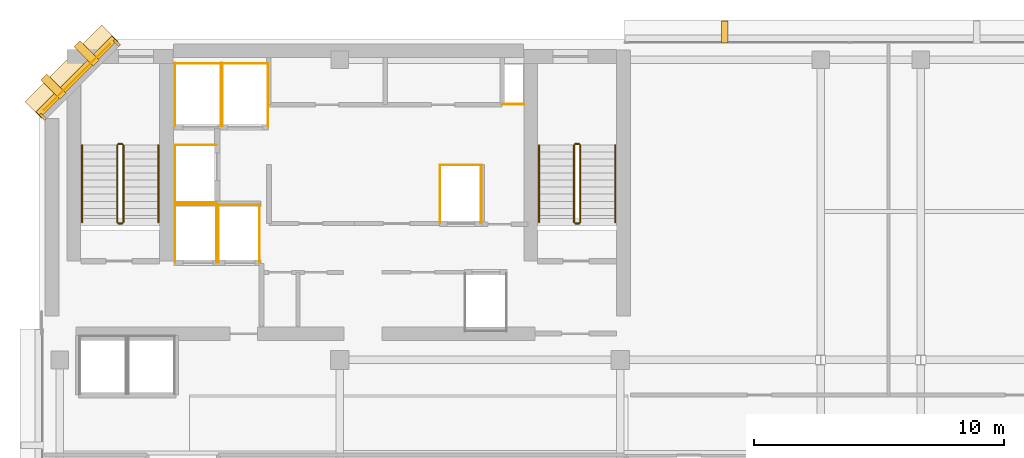
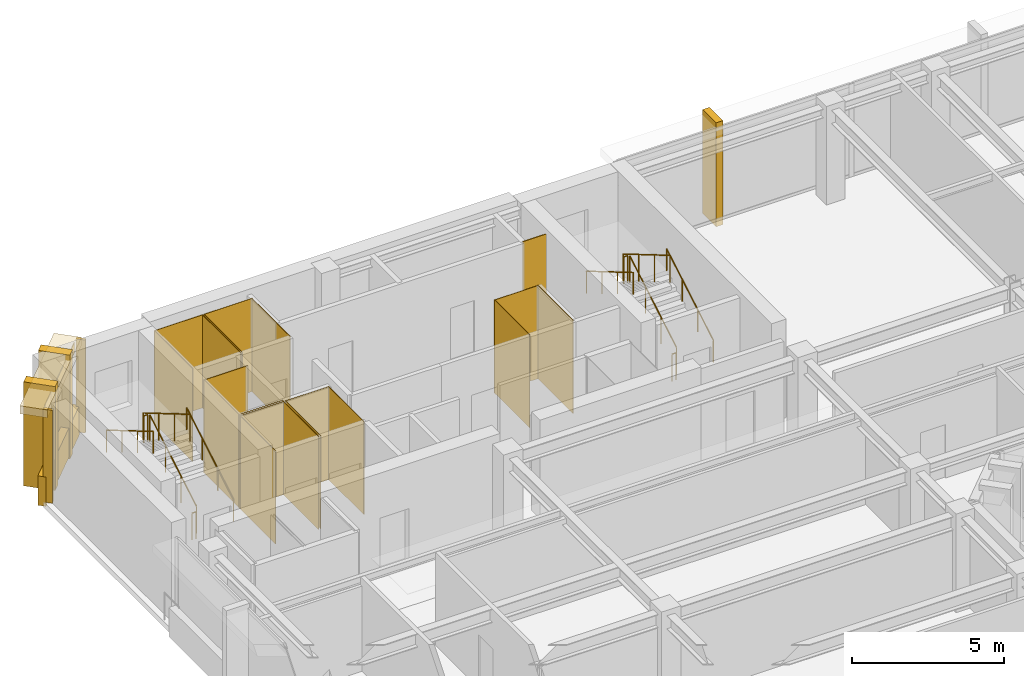
# One storey, part 10 of 11: 27 coverings, 12 railings.
"""IFC4 building model written with IfcOpenShell, lengths in metres."""

from ifc_helpers import new_model, si_unit, direction, frame, origin, origin_2d, place, context, subcontext, project, spatial, polyline, rectangle, circle, outline, extrude, material, layer, layer_set, type_object, element, save


model = new_model("IFC4")

# Units and contexts
model_context = context("Model", 3, precision=1e-05, world=origin(), true_north=direction((0.0, 1.0)))
body_context = subcontext(model_context, "Body", "Model", "MODEL_VIEW")
ifc_project = project(units=[si_unit("LENGTHUNIT", "METRE"), si_unit("AREAUNIT", "SQUARE_METRE"), si_unit("VOLUMEUNIT", "CUBIC_METRE"), si_unit("PLANEANGLEUNIT", "RADIAN"), si_unit("MASSUNIT", "GRAM", prefix="KILO")], contexts=[model_context])

# Site, building, storey
site_placement = place(None, origin())
site = spatial("IfcSite", under=ifc_project, at=site_placement, CompositionType="ELEMENT")
building_placement = place(site_placement, origin())
building = spatial("IfcBuilding", under=site, at=building_placement, Name="Kefirva Bronze Tower", CompositionType="ELEMENT")
storey_placement = place(building_placement, frame((0.0, 0.0, 284.1298828125)))
storey = spatial("IfcBuildingStorey", under=building, at=storey_placement, Name="L69", CompositionType="ELEMENT", Elevation=284.1298828125)

# Coverings
ifc_material_1 = material(Name="Bronze anodised aluminium", Category="aluminium")
ifc_layer_1 = layer(ifc_material_1, 0.02001953125, Name="Bronze anodised aluminium")
ifc_layer_set_1 = layer_set([ifc_layer_1], Name="Bronze anodised aluminium")
covering_type_1 = type_object("IfcCoveringType", Name="Anodised Bronze Spandrel Cladding 20mm", PredefinedType="CLADDING", material=ifc_layer_set_1)
covering_1_placement = place(storey_placement, frame((1.492919921875, 44.507080078125, 3.320068359375), z_axis=(0.0, 0.0, 1.0), x_axis=(-0.707106781187, -0.707106781187, 0.0)))
element("IfcCovering", 1, at=covering_1_placement, inside=storey, type_object=covering_type_1, Name="L69 Bronze Spandrel Cladding 6", PredefinedType="CLADDING", context=body_context, shape_type="SweptSolid", body=[
    extrude(rectangle(XDim=3.719482421875, YDim=0.02001953125, at=origin_2d()), origin(), (0.0, 0.0, 1.0), 0.39990234375),
])
for number, where, z_axis, x_axis, name in (
    (2, (3.08837890625, 45.862060546875, 0.0), (0.0, 0.0, 1.0), (-0.707106781187, -0.707106781187, 0.0), "L69 Facade Joint Closure Panel 6S"),
    (3, (0.137939453125, 42.91162109375, 0.0), (0.0, 0.0, 1.0), (-0.707106781187, -0.707106781187, 0.0), "L69 Facade Joint Closure Panel 6E"),
):
    element("IfcCovering", number, at=place(storey_placement, frame(where, z_axis=z_axis, x_axis=x_axis)), inside=storey, type_object=covering_type_1, Name=name, PredefinedType="CLADDING", context=body_context, shape_type="SweptSolid", body=[
        extrude(rectangle(XDim=0.10009765625, YDim=0.320068359375, at=origin_2d()), origin(), (0.0, 0.0, 1.0), 3.739990234375),
    ])
covering_2_placement = place(storey_placement, frame((1.4716796875, 44.5283203125, -0.15966796875), z_axis=(0.0, 0.0, 1.0), x_axis=(-0.707106781187, -0.707106781187, 0.0)))
element("IfcCovering", 4, at=covering_2_placement, inside=storey, type_object=covering_type_1, Name="L69 Streamline Horizontal Spandrel Band 9", PredefinedType="CLADDING", context=body_context, shape_type="SweptSolid", body=[
    extrude(rectangle(XDim=4.28271484375, YDim=0.280029296875, at=origin_2d()), origin(), (0.0, 0.0, 1.0), 1.179931640625),
])
covering_3_placement = place(storey_placement, origin())
element("IfcCovering", 5, at=covering_3_placement, inside=storey, type_object=covering_type_1, Name="L69 Lift FF1 Hoistway Liner N", PredefinedType="CLADDING", context=body_context, shape_type="SweptSolid", body=[
    extrude(outline(polyline([(5.39990234375, 39.389892578125), (7.080078125, 39.389892578125), (7.080078125, 39.409912109375), (5.39990234375, 39.409912109375), (5.39990234375, 39.389892578125)])), origin(), (0.0, 0.0, 1.0), 3.740234375),
])
covering_4_placement = place(storey_placement, origin())
element("IfcCovering", 6, at=covering_4_placement, inside=storey, type_object=covering_type_1, Name="L69 Lift FF1 Hoistway Liner W", PredefinedType="CLADDING", context=body_context, shape_type="SweptSolid", body=[
    extrude(outline(polyline([(5.409912109375, 37.080078125), (5.429931640625, 37.080078125), (5.429931640625, 39.419921875), (5.409912109375, 39.419921875), (5.409912109375, 37.080078125)])), origin(), (0.0, 0.0, 1.0), 3.740234375),
])
covering_5_placement = place(storey_placement, origin())
element("IfcCovering", 7, at=covering_5_placement, inside=storey, type_object=covering_type_1, Name="L69 Lift FF1 Hoistway Liner E", PredefinedType="CLADDING", context=body_context, shape_type="SweptSolid", body=[
    extrude(outline(polyline([(7.050048828125, 37.080078125), (7.070068359375, 37.080078125), (7.070068359375, 39.419921875), (7.050048828125, 39.419921875), (7.050048828125, 37.080078125)])), origin(), (0.0, 0.0, 1.0), 3.740234375),
])
covering_6_placement = place(storey_placement, origin())
element("IfcCovering", 8, at=covering_6_placement, inside=storey, type_object=covering_type_1, Name="L69 Lift FF2 Hoistway Liner N", PredefinedType="CLADDING", context=body_context, shape_type="SweptSolid", body=[
    extrude(outline(polyline([(7.1201171875, 39.389892578125), (8.800048828125, 39.389892578125), (8.800048828125, 39.409912109375), (7.1201171875, 39.409912109375), (7.1201171875, 39.389892578125)])), origin(), (0.0, 0.0, 1.0), 3.740234375),
])
covering_7_placement = place(storey_placement, origin())
element("IfcCovering", 9, at=covering_7_placement, inside=storey, type_object=covering_type_1, Name="L69 Lift FF2 Hoistway Liner W", PredefinedType="CLADDING", context=body_context, shape_type="SweptSolid", body=[
    extrude(outline(polyline([(7.1298828125, 37.080078125), (7.14990234375, 37.080078125), (7.14990234375, 39.419921875), (7.1298828125, 39.419921875), (7.1298828125, 37.080078125)])), origin(), (0.0, 0.0, 1.0), 3.740234375),
])
covering_8_placement = place(storey_placement, origin())
element("IfcCovering", 10, at=covering_8_placement, inside=storey, type_object=covering_type_1, Name="L69 Lift FF2 Hoistway Liner E", PredefinedType="CLADDING", context=body_context, shape_type="SweptSolid", body=[
    extrude(outline(polyline([(8.77001953125, 37.080078125), (8.7900390625, 37.080078125), (8.7900390625, 39.419921875), (8.77001953125, 39.419921875), (8.77001953125, 37.080078125)])), origin(), (0.0, 0.0, 1.0), 3.740234375),
])
covering_9_placement = place(storey_placement, origin())
element("IfcCovering", 11, at=covering_9_placement, inside=storey, type_object=covering_type_1, Name="L69 Lift SV1 Hoistway Liner N", PredefinedType="CLADDING", context=body_context, shape_type="SweptSolid", body=[
    extrude(outline(polyline([(5.39990234375, 45.0400390625), (7.260009765625, 45.0400390625), (7.260009765625, 45.06005859375), (5.39990234375, 45.06005859375), (5.39990234375, 45.0400390625)])), origin(), (0.0, 0.0, 1.0), 3.740234375),
])
covering_10_placement = place(storey_placement, origin())
element("IfcCovering", 12, at=covering_10_placement, inside=storey, type_object=covering_type_1, Name="L69 Lift SV1 Hoistway Liner W", PredefinedType="CLADDING", context=body_context, shape_type="SweptSolid", body=[
    extrude(outline(polyline([(5.409912109375, 42.530029296875), (5.429931640625, 42.530029296875), (5.429931640625, 45.070068359375), (5.409912109375, 45.070068359375), (5.409912109375, 42.530029296875)])), origin(), (0.0, 0.0, 1.0), 3.740234375),
])
covering_11_placement = place(storey_placement, origin())
element("IfcCovering", 13, at=covering_11_placement, inside=storey, type_object=covering_type_1, Name="L69 Lift SV1 Hoistway Liner E", PredefinedType="CLADDING", context=body_context, shape_type="SweptSolid", body=[
    extrude(outline(polyline([(7.22998046875, 42.530029296875), (7.25, 42.530029296875), (7.25, 45.070068359375), (7.22998046875, 45.070068359375), (7.22998046875, 42.530029296875)])), origin(), (0.0, 0.0, 1.0), 3.740234375),
])
covering_12_placement = place(storey_placement, origin())
element("IfcCovering", 14, at=covering_12_placement, inside=storey, type_object=covering_type_1, Name="L69 Lift SV2 Hoistway Liner N", PredefinedType="CLADDING", context=body_context, shape_type="SweptSolid", body=[
    extrude(outline(polyline([(7.280029296875, 45.0400390625), (9.139892578125, 45.0400390625), (9.139892578125, 45.06005859375), (7.280029296875, 45.06005859375), (7.280029296875, 45.0400390625)])), origin(), (0.0, 0.0, 1.0), 3.740234375),
])
covering_13_placement = place(storey_placement, origin())
element("IfcCovering", 15, at=covering_13_placement, inside=storey, type_object=covering_type_1, Name="L69 Lift SV2 Hoistway Liner W", PredefinedType="CLADDING", context=body_context, shape_type="SweptSolid", body=[
    extrude(outline(polyline([(7.2900390625, 42.530029296875), (7.31005859375, 42.530029296875), (7.31005859375, 45.070068359375), (7.2900390625, 45.070068359375), (7.2900390625, 42.530029296875)])), origin(), (0.0, 0.0, 1.0), 3.740234375),
])
covering_14_placement = place(storey_placement, origin())
element("IfcCovering", 16, at=covering_14_placement, inside=storey, type_object=covering_type_1, Name="L69 Lift SV2 Hoistway Liner E", PredefinedType="CLADDING", context=body_context, shape_type="SweptSolid", body=[
    extrude(outline(polyline([(9.110107421875, 42.530029296875), (9.1298828125, 42.530029296875), (9.1298828125, 45.070068359375), (9.110107421875, 45.070068359375), (9.110107421875, 42.530029296875)])), origin(), (0.0, 0.0, 1.0), 3.740234375),
])
covering_15_placement = place(storey_placement, origin())
element("IfcCovering", 17, at=covering_15_placement, inside=storey, type_object=covering_type_1, Name="L69 Lift HP2 Hoistway Liner N", PredefinedType="CLADDING", context=body_context, shape_type="SweptSolid", body=[
    extrude(outline(polyline([(15.97998046875, 40.969970703125), (17.669921875, 40.969970703125), (17.669921875, 40.989990234375), (15.97998046875, 40.989990234375), (15.97998046875, 40.969970703125)])), origin(), (0.0, 0.0, 1.0), 3.740234375),
])
covering_16_placement = place(storey_placement, origin())
element("IfcCovering", 18, at=covering_16_placement, inside=storey, type_object=covering_type_1, Name="L69 Lift HP2 Hoistway Liner W", PredefinedType="CLADDING", context=body_context, shape_type="SweptSolid", body=[
    extrude(outline(polyline([(15.989990234375, 38.659912109375), (16.010009765625, 38.659912109375), (16.010009765625, 41.0), (15.989990234375, 41.0), (15.989990234375, 38.659912109375)])), origin(), (0.0, 0.0, 1.0), 3.740234375),
])
covering_17_placement = place(storey_placement, origin())
element("IfcCovering", 19, at=covering_17_placement, inside=storey, type_object=covering_type_1, Name="L69 Lift HP2 Hoistway Liner E", PredefinedType="CLADDING", context=body_context, shape_type="SweptSolid", body=[
    extrude(outline(polyline([(17.639892578125, 38.659912109375), (17.659912109375, 38.659912109375), (17.659912109375, 41.0), (17.639892578125, 41.0), (17.639892578125, 38.659912109375)])), origin(), (0.0, 0.0, 1.0), 3.740234375),
])
covering_18_placement = place(storey_placement, origin())
element("IfcCovering", 20, at=covering_18_placement, inside=storey, type_object=covering_type_1, Name="L69 Lift HP3 Hoistway Liner N", PredefinedType="CLADDING", context=body_context, shape_type="SweptSolid", body=[
    extrude(outline(polyline([(5.39990234375, 41.77001953125), (7.080078125, 41.77001953125), (7.080078125, 41.7900390625), (5.39990234375, 41.7900390625), (5.39990234375, 41.77001953125)])), origin(), (0.0, 0.0, 1.0), 3.740234375),
])
covering_19_placement = place(storey_placement, origin())
element("IfcCovering", 21, at=covering_19_placement, inside=storey, type_object=covering_type_1, Name="L69 Lift HP3 Hoistway Liner S", PredefinedType="CLADDING", context=body_context, shape_type="SweptSolid", body=[
    extrude(outline(polyline([(5.39990234375, 39.469970703125), (7.080078125, 39.469970703125), (7.080078125, 39.489990234375), (5.39990234375, 39.489990234375), (5.39990234375, 39.469970703125)])), origin(), (0.0, 0.0, 1.0), 3.740234375),
])
covering_20_placement = place(storey_placement, origin())
element("IfcCovering", 22, at=covering_20_placement, inside=storey, type_object=covering_type_1, Name="L69 Lift HP3 Hoistway Liner W", PredefinedType="CLADDING", context=body_context, shape_type="SweptSolid", body=[
    extrude(outline(polyline([(5.409912109375, 39.4599609375), (5.429931640625, 39.4599609375), (5.429931640625, 41.800048828125), (5.409912109375, 41.800048828125), (5.409912109375, 39.4599609375)])), origin(), (0.0, 0.0, 1.0), 3.740234375),
])
covering_21_placement = place(storey_placement, origin())
element("IfcCovering", 23, at=covering_21_placement, inside=storey, type_object=covering_type_1, Name="L69 Core MEP Riser Shaft Liner South", PredefinedType="CLADDING", context=body_context, shape_type="SweptSolid", body=[
    extrude(outline(polyline([(18.47998046875, 43.39990234375), (19.360107421875, 43.39990234375), (19.360107421875, 43.429931640625), (18.47998046875, 43.429931640625), (18.47998046875, 43.39990234375)])), origin(), (0.0, 0.0, 1.0), 3.740234375),
])

# Railings
ifc_material_2 = material(Name="Stainless steel 316", Category="steel")
railing_type_1 = type_object("IfcRailingType", Name="Interior Stair Guardrail 1100mm", PredefinedType="GUARDRAIL", material=ifc_material_2)
railing_1_placement = place(storey_placement, frame((3.35009765625, 38.699951171875, 0.1650390625)))
element("IfcRailing", 24, at=railing_1_placement, inside=storey, type_object=railing_type_1, Name="L69 ST-1 stair guard 1", PredefinedType="GUARDRAIL", context=body_context, shape_type="SweptSolid", body=[
    extrude(circle(Radius=0.02392578125, at=origin_2d()), frame((0.0, 0.0, 1.076171875), z_axis=(0.0, 0.861521393093, 0.507721271215), x_axis=(-1.0, 0.0, 0.0)), (0.0, 0.0, 1.0), 3.5751953125),
    extrude(circle(Radius=0.02099609375, at=origin_2d()), origin(), (0.0, 0.0, 1.0), 1.052001953125),
    extrude(circle(Radius=0.02099609375, at=origin_2d()), frame((0.0, 1.026611328125, 0.60498046875)), (0.0, 0.0, 1.0), 1.052001953125),
    extrude(circle(Radius=0.02099609375, at=origin_2d()), frame((0.0, 2.053466796875, 1.210205078125)), (0.0, 0.0, 1.0), 1.052001953125),
    extrude(circle(Radius=0.02099609375, at=origin_2d()), frame((0.0, 3.080078125, 1.815185546875)), (0.0, 0.0, 1.0), 1.052001953125),
])
railing_2_placement = place(storey_placement, frame((3.300048828125, 41.830078125, 1.980224609375)))
element("IfcRailing", 25, at=railing_2_placement, inside=storey, type_object=railing_type_1, Name="L69 ST-1 stair guard 2", PredefinedType="GUARDRAIL", context=body_context, shape_type="SweptSolid", body=[
    extrude(circle(Radius=0.02392578125, at=origin_2d()), frame((0.0, 0.0, 1.076171875), z_axis=(-1.0, 0.0, 0.0), x_axis=(0.0, -1.0, 0.0)), (0.0, 0.0, 1.0), 0.150146484375),
    extrude(circle(Radius=0.02099609375, at=origin_2d()), origin(), (0.0, 0.0, 1.0), 1.052001953125),
    extrude(circle(Radius=0.02099609375, at=origin_2d()), frame((-0.150146484375, 0.0, 0.0)), (0.0, 0.0, 1.0), 1.052001953125),
])
railing_3_placement = place(storey_placement, frame((3.10009765625, 41.780029296875, 2.14501953125)))
element("IfcRailing", 26, at=railing_3_placement, inside=storey, type_object=railing_type_1, Name="L69 ST-1 stair guard 3", PredefinedType="GUARDRAIL", context=body_context, shape_type="SweptSolid", body=[
    extrude(circle(Radius=0.02392578125, at=origin_2d()), frame((0.0, 0.0, 1.076171875), z_axis=(0.0, -0.861521393093, 0.507721271215), x_axis=(1.0, 0.0, 0.0)), (0.0, 0.0, 1.0), 3.5751953125),
    extrude(circle(Radius=0.02099609375, at=origin_2d()), origin(), (0.0, 0.0, 1.0), 1.052001953125),
    extrude(circle(Radius=0.02099609375, at=origin_2d()), frame((0.0, -1.026611328125, 0.60498046875)), (0.0, 0.0, 1.0), 1.052001953125),
    extrude(circle(Radius=0.02099609375, at=origin_2d()), frame((0.0, -2.053466796875, 1.210205078125)), (0.0, 0.0, 1.0), 1.052001953125),
    extrude(circle(Radius=0.02099609375, at=origin_2d()), frame((0.0, -3.080078125, 1.815185546875)), (0.0, 0.0, 1.0), 1.052001953125),
])
railing_4_placement = place(storey_placement, frame((3.300048828125, 38.64990234375, 0.0)))
element("IfcRailing", 27, at=railing_4_placement, inside=storey, type_object=railing_type_1, Name="L69 ST-1 stair guard 4", PredefinedType="GUARDRAIL", context=body_context, shape_type="SweptSolid", body=[
    extrude(circle(Radius=0.02392578125, at=origin_2d()), frame((0.0, 0.0, 1.076171875), z_axis=(-1.0, 0.0, 0.0), x_axis=(0.0, -1.0, 0.0)), (0.0, 0.0, 1.0), 0.150146484375),
    extrude(circle(Radius=0.02099609375, at=origin_2d()), origin(), (0.0, 0.0, 1.0), 1.052001953125),
    extrude(circle(Radius=0.02099609375, at=origin_2d()), frame((-0.150146484375, 0.0, 0.0)), (0.0, 0.0, 1.0), 1.052001953125),
])
railing_5_placement = place(storey_placement, frame((21.60009765625, 38.699951171875, 0.1650390625)))
element("IfcRailing", 28, at=railing_5_placement, inside=storey, type_object=railing_type_1, Name="L69 ST-2 stair guard 1", PredefinedType="GUARDRAIL", context=body_context, shape_type="SweptSolid", body=[
    extrude(circle(Radius=0.02392578125, at=origin_2d()), frame((0.0, 0.0, 1.076171875), z_axis=(0.0, 0.861521393093, 0.507721271215), x_axis=(-1.0, 0.0, 0.0)), (0.0, 0.0, 1.0), 3.5751953125),
    extrude(circle(Radius=0.02099609375, at=origin_2d()), origin(), (0.0, 0.0, 1.0), 1.052001953125),
    extrude(circle(Radius=0.02099609375, at=origin_2d()), frame((0.0, 1.026611328125, 0.60498046875)), (0.0, 0.0, 1.0), 1.052001953125),
    extrude(circle(Radius=0.02099609375, at=origin_2d()), frame((0.0, 2.053466796875, 1.210205078125)), (0.0, 0.0, 1.0), 1.052001953125),
    extrude(circle(Radius=0.02099609375, at=origin_2d()), frame((0.0, 3.080078125, 1.815185546875)), (0.0, 0.0, 1.0), 1.052001953125),
])
railing_6_placement = place(storey_placement, frame((21.550048828125, 41.830078125, 1.980224609375)))
element("IfcRailing", 29, at=railing_6_placement, inside=storey, type_object=railing_type_1, Name="L69 ST-2 stair guard 2", PredefinedType="GUARDRAIL", context=body_context, shape_type="SweptSolid", body=[
    extrude(circle(Radius=0.02392578125, at=origin_2d()), frame((0.0, 0.0, 1.076171875), z_axis=(-1.0, 0.0, 0.0), x_axis=(0.0, -1.0, 0.0)), (0.0, 0.0, 1.0), 0.150146484375),
    extrude(circle(Radius=0.02099609375, at=origin_2d()), origin(), (0.0, 0.0, 1.0), 1.052001953125),
    extrude(circle(Radius=0.02099609375, at=origin_2d()), frame((-0.150146484375, 0.0, 0.0)), (0.0, 0.0, 1.0), 1.052001953125),
])
railing_7_placement = place(storey_placement, frame((21.35009765625, 41.780029296875, 2.14501953125)))
element("IfcRailing", 30, at=railing_7_placement, inside=storey, type_object=railing_type_1, Name="L69 ST-2 stair guard 3", PredefinedType="GUARDRAIL", context=body_context, shape_type="SweptSolid", body=[
    extrude(circle(Radius=0.02392578125, at=origin_2d()), frame((0.0, 0.0, 1.076171875), z_axis=(0.0, -0.861521393093, 0.507721271215), x_axis=(1.0, 0.0, 0.0)), (0.0, 0.0, 1.0), 3.5751953125),
    extrude(circle(Radius=0.02099609375, at=origin_2d()), origin(), (0.0, 0.0, 1.0), 1.052001953125),
    extrude(circle(Radius=0.02099609375, at=origin_2d()), frame((0.0, -1.026611328125, 0.60498046875)), (0.0, 0.0, 1.0), 1.052001953125),
    extrude(circle(Radius=0.02099609375, at=origin_2d()), frame((0.0, -2.053466796875, 1.210205078125)), (0.0, 0.0, 1.0), 1.052001953125),
    extrude(circle(Radius=0.02099609375, at=origin_2d()), frame((0.0, -3.080078125, 1.815185546875)), (0.0, 0.0, 1.0), 1.052001953125),
])
railing_8_placement = place(storey_placement, frame((21.550048828125, 38.64990234375, 0.0)))
element("IfcRailing", 31, at=railing_8_placement, inside=storey, type_object=railing_type_1, Name="L69 ST-2 stair guard 4", PredefinedType="GUARDRAIL", context=body_context, shape_type="SweptSolid", body=[
    extrude(circle(Radius=0.02392578125, at=origin_2d()), frame((0.0, 0.0, 1.076171875), z_axis=(-1.0, 0.0, 0.0), x_axis=(0.0, -1.0, 0.0)), (0.0, 0.0, 1.0), 0.150146484375),
    extrude(circle(Radius=0.02099609375, at=origin_2d()), origin(), (0.0, 0.0, 1.0), 1.052001953125),
    extrude(circle(Radius=0.02099609375, at=origin_2d()), frame((-0.150146484375, 0.0, 0.0)), (0.0, 0.0, 1.0), 1.052001953125),
])
railing_type_2 = type_object("IfcRailingType", Name="Stair Pitch Handrail 900mm", PredefinedType="HANDRAIL", material=ifc_material_2)
railing_9_placement = place(storey_placement, frame((4.75, 38.699951171875, 0.1650390625)))
element("IfcRailing", 32, at=railing_9_placement, inside=storey, type_object=railing_type_2, Name="L69 ST-1 stair handrail 1", PredefinedType="HANDRAIL", context=body_context, shape_type="SweptSolid", body=[
    extrude(circle(Radius=0.02392578125, at=origin_2d()), frame((0.0, 0.0, 0.8759765625), z_axis=(0.0, 0.861521393093, 0.507721271215), x_axis=(-1.0, 0.0, 0.0)), (0.0, 0.0, 1.0), 3.5751953125),
    extrude(circle(Radius=0.02099609375, at=origin_2d()), origin(), (0.0, 0.0, 1.0), 0.851806640625),
    extrude(circle(Radius=0.02099609375, at=origin_2d()), frame((0.0, 1.026611328125, 0.60498046875)), (0.0, 0.0, 1.0), 0.851806640625),
    extrude(circle(Radius=0.02099609375, at=origin_2d()), frame((0.0, 2.053466796875, 1.210205078125)), (0.0, 0.0, 1.0), 0.851806640625),
    extrude(circle(Radius=0.02099609375, at=origin_2d()), frame((0.0, 3.080078125, 1.815185546875)), (0.0, 0.0, 1.0), 0.851806640625),
])
railing_10_placement = place(storey_placement, frame((1.699951171875, 41.780029296875, 2.14501953125)))
element("IfcRailing", 33, at=railing_10_placement, inside=storey, type_object=railing_type_2, Name="L69 ST-1 stair handrail 2", PredefinedType="HANDRAIL", context=body_context, shape_type="SweptSolid", body=[
    extrude(circle(Radius=0.02392578125, at=origin_2d()), frame((0.0, 0.0, 0.8759765625), z_axis=(0.0, -0.861521393093, 0.507721271215), x_axis=(1.0, 0.0, 0.0)), (0.0, 0.0, 1.0), 3.5751953125),
    extrude(circle(Radius=0.02099609375, at=origin_2d()), origin(), (0.0, 0.0, 1.0), 0.851806640625),
    extrude(circle(Radius=0.02099609375, at=origin_2d()), frame((0.0, -1.026611328125, 0.60498046875)), (0.0, 0.0, 1.0), 0.851806640625),
    extrude(circle(Radius=0.02099609375, at=origin_2d()), frame((0.0, -2.053466796875, 1.210205078125)), (0.0, 0.0, 1.0), 0.851806640625),
    extrude(circle(Radius=0.02099609375, at=origin_2d()), frame((0.0, -3.080078125, 1.815185546875)), (0.0, 0.0, 1.0), 0.851806640625),
])
railing_11_placement = place(storey_placement, frame((23.0, 38.699951171875, 0.1650390625)))
element("IfcRailing", 34, at=railing_11_placement, inside=storey, type_object=railing_type_2, Name="L69 ST-2 stair handrail 1", PredefinedType="HANDRAIL", context=body_context, shape_type="SweptSolid", body=[
    extrude(circle(Radius=0.02392578125, at=origin_2d()), frame((0.0, 0.0, 0.8759765625), z_axis=(0.0, 0.861521393093, 0.507721271215), x_axis=(-1.0, 0.0, 0.0)), (0.0, 0.0, 1.0), 3.5751953125),
    extrude(circle(Radius=0.02099609375, at=origin_2d()), origin(), (0.0, 0.0, 1.0), 0.851806640625),
    extrude(circle(Radius=0.02099609375, at=origin_2d()), frame((0.0, 1.026611328125, 0.60498046875)), (0.0, 0.0, 1.0), 0.851806640625),
    extrude(circle(Radius=0.02099609375, at=origin_2d()), frame((0.0, 2.053466796875, 1.210205078125)), (0.0, 0.0, 1.0), 0.851806640625),
    extrude(circle(Radius=0.02099609375, at=origin_2d()), frame((0.0, 3.080078125, 1.815185546875)), (0.0, 0.0, 1.0), 0.851806640625),
])
railing_12_placement = place(storey_placement, frame((19.949951171875, 41.780029296875, 2.14501953125)))
element("IfcRailing", 35, at=railing_12_placement, inside=storey, type_object=railing_type_2, Name="L69 ST-2 stair handrail 2", PredefinedType="HANDRAIL", context=body_context, shape_type="SweptSolid", body=[
    extrude(circle(Radius=0.02392578125, at=origin_2d()), frame((0.0, 0.0, 0.8759765625), z_axis=(0.0, -0.861521393093, 0.507721271215), x_axis=(1.0, 0.0, 0.0)), (0.0, 0.0, 1.0), 3.5751953125),
    extrude(circle(Radius=0.02099609375, at=origin_2d()), origin(), (0.0, 0.0, 1.0), 0.851806640625),
    extrude(circle(Radius=0.02099609375, at=origin_2d()), frame((0.0, -1.026611328125, 0.60498046875)), (0.0, 0.0, 1.0), 0.851806640625),
    extrude(circle(Radius=0.02099609375, at=origin_2d()), frame((0.0, -2.053466796875, 1.210205078125)), (0.0, 0.0, 1.0), 0.851806640625),
    extrude(circle(Radius=0.02099609375, at=origin_2d()), frame((0.0, -3.080078125, 1.815185546875)), (0.0, 0.0, 1.0), 0.851806640625),
])

# Coverings
ifc_layer_2 = layer(ifc_material_1, 0.179931640625, Name="Bronze anodised aluminium")
ifc_layer_set_2 = layer_set([ifc_layer_2], Name="Bronze anodised aluminium")
covering_type_2 = type_object("IfcCoveringType", Name="Streamline Bronze Sunshade Eyebrow Cladding 180mm", PredefinedType="CLADDING", material=ifc_layer_set_2)
covering_22_placement = place(storey_placement, frame((1.28076171875, 44.71923828125, 3.419921875), z_axis=(0.0, 0.0, 1.0), x_axis=(-0.707106781187, -0.707106781187, 0.0)))
element("IfcCovering", 36, at=covering_22_placement, inside=storey, type_object=covering_type_2, Name="L69 Streamline Bronze Sunshade Eyebrow 9", PredefinedType="CLADDING", context=body_context, shape_type="SweptSolid", body=[
    extrude(rectangle(XDim=4.322509765625, YDim=0.93994140625, at=origin_2d()), origin(), (0.0, 0.0, 1.0), 0.320068359375),
])
ifc_layer_3 = layer(ifc_material_1, 0.260009765625, Name="Bronze anodised aluminium")
ifc_layer_set_3 = layer_set([ifc_layer_3], Name="Bronze anodised aluminium")
covering_type_3 = type_object("IfcCoveringType", Name="Unbroken Bronze Buttress Fin Cladding 260mm", PredefinedType="CLADDING", material=ifc_layer_set_3)
covering_23_placement = place(storey_placement, frame((27.364013671875, 46.300048828125, -0.2197265625), z_axis=(0.0, 0.0, 1.0), x_axis=(-1.0, 0.0, 0.0)))
element("IfcCovering", 37, at=covering_23_placement, inside=storey, type_object=covering_type_3, Name="L69 Unbroken Vertical Bronze Rib Fin 18", PredefinedType="CLADDING", context=body_context, shape_type="SweptSolid", body=[
    extrude(rectangle(XDim=0.260009765625, YDim=0.8798828125, at=origin_2d()), origin(), (0.0, 0.0, 1.0), 4.179931640625),
])
for number, where, z_axis, x_axis, name in (
    (38, (1.877197265625, 45.44287109375, -0.2197265625), (0.0, 0.0, 1.0), (-0.707106781187, -0.707106781187, 0.0), "L69 Chamfered Corner Buttress Fin Cladding 19"),
    (39, (0.55712890625, 44.122802734375, -0.2197265625), (0.0, 0.0, 1.0), (-0.707106781187, -0.707106781187, 0.0), "L69 Chamfered Corner Buttress Fin Cladding 20"),
):
    element("IfcCovering", number, at=place(storey_placement, frame(where, z_axis=z_axis, x_axis=x_axis)), inside=storey, type_object=covering_type_3, Name=name, PredefinedType="CLADDING", context=body_context, shape_type="SweptSolid", body=[
        extrude(rectangle(XDim=0.340087890625, YDim=1.080078125, at=origin_2d()), origin(), (0.0, 0.0, 1.0), 4.179931640625),
    ])

save(model, "model.ifc")
